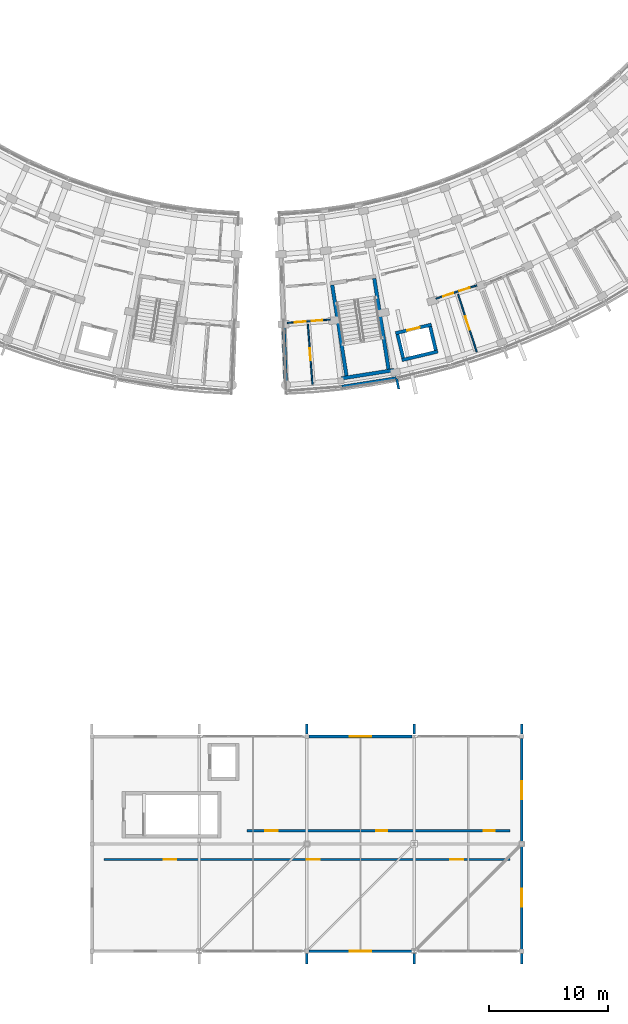
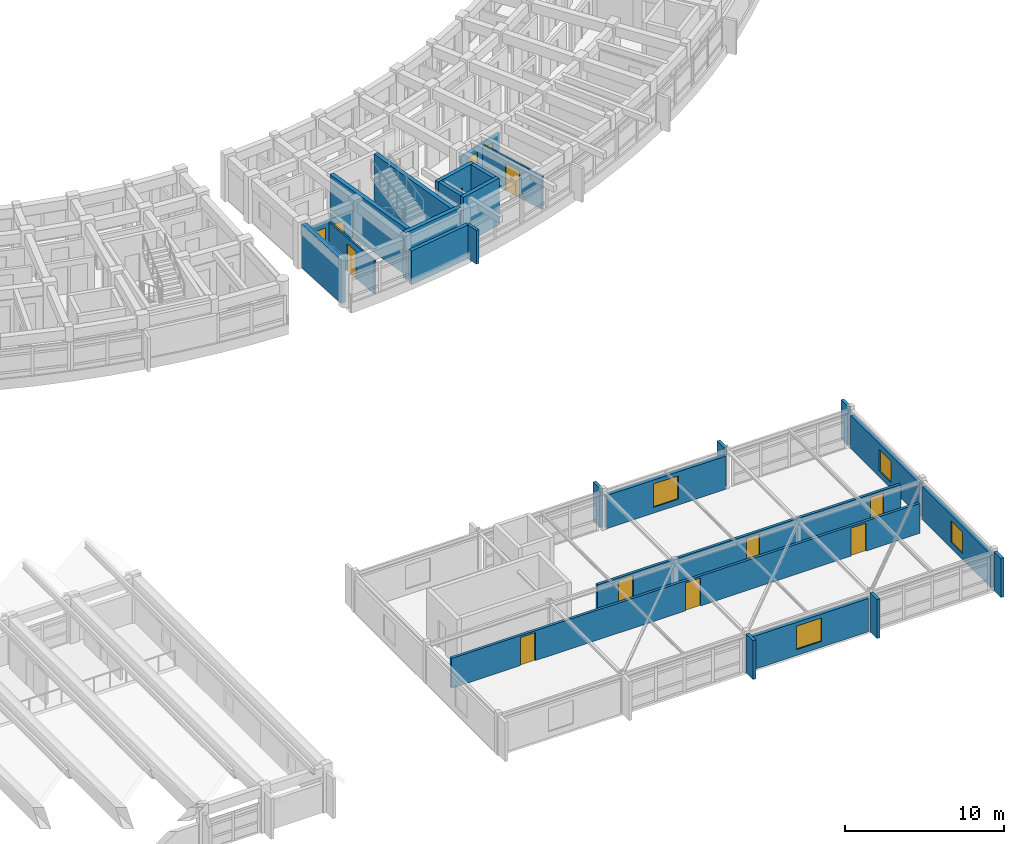
# One storey, part 66 of 83: 26 walls, 13 doors, 4 windows, 17 openings.
"""IFC4 building model written with IfcOpenShell, lengths in metres."""

from ifc_helpers import new_model, si_unit, direction, frame, frame_2d, origin, place, context, subcontext, project, spatial, rectangle, extrude, material, layer, layer_set, type_object, element, fill, save


model = new_model("IFC4")

# Units and contexts
model_context = context("Model", 3, precision=1e-05, world=origin(), true_north=direction((0.0, 1.0)))
body_context = subcontext(model_context, "Body", "Model", "MODEL_VIEW")
ifc_project = project(units=[si_unit("LENGTHUNIT", "METRE"), si_unit("AREAUNIT", "SQUARE_METRE"), si_unit("VOLUMEUNIT", "CUBIC_METRE"), si_unit("PLANEANGLEUNIT", "RADIAN"), si_unit("MASSUNIT", "GRAM", prefix="KILO")], contexts=[model_context])

# Site, building, storey
site_placement = place(None, origin())
site = spatial("IfcSite", under=ifc_project, at=site_placement, CompositionType="ELEMENT")
building_placement = place(site_placement, origin())
building = spatial("IfcBuilding", under=site, at=building_placement, Name="Zimvara Arc Housing Community", CompositionType="ELEMENT")
storey_placement = place(building_placement, frame((0.0, 0.0, 4.5)))
storey = spatial("IfcBuildingStorey", under=building, at=storey_placement, Name="L01", CompositionType="ELEMENT", Elevation=4.5)

# Walls
ifc_material_1 = material(Name="Board-Marked Fair-Faced Concrete C35/45", Category="concrete")
ifc_layer_1 = layer(ifc_material_1, 0.2548828125)
ifc_layer_set_1 = layer_set([ifc_layer_1], Name="Board-Marked Fair-Faced Concrete C35/45")
wall_type_1 = type_object("IfcWallType", Name="EWL-CONC-255", PredefinedType="SOLIDWALL", material=ifc_layer_set_1)
wall_1_placement = place(storey_placement, frame((132.927734375, 50.888671875, 0.0), z_axis=(0.0, 0.0, 1.0), x_axis=(0.987828826394, 0.155544880165, 0.0)))
element("IfcWall", 1, at=wall_1_placement, inside=storey, type_object=wall_type_1, Name="ewall:blkD:L01:out:b1", PredefinedType="SOLIDWALL", context=body_context, shape_type="SweptSolid", body=[
    extrude(rectangle(XDim=4.622314453125, YDim=0.2548828125, at=frame_2d((2.31103515625, 0.0))), origin(), (0.0, 0.0, 1.0), 2.60009765625),
])
ifc_material_2 = material(Name="Board-Marked Fair-Faced Concrete C35/45", Category="concrete")
ifc_layer_2 = layer(ifc_material_2, 0.195068359375)
ifc_layer_set_2 = layer_set([ifc_layer_2], Name="Board-Marked Fair-Faced Concrete C35/45")
wall_type_2 = type_object("IfcWallType", Name="EWL-PARA-195", PredefinedType="PARAPET", material=ifc_layer_set_2)
wall_2_placement = place(storey_placement, frame((137.521484375, 51.571533203125, 0.0), z_axis=(0.0, 0.0, 1.0), x_axis=(0.194237671596, -0.980954497891, 0.0)))
element("IfcWall", 2, at=wall_2_placement, inside=storey, type_object=wall_type_2, Name="finwall:blkD:L01:out:b2", PredefinedType="PARAPET", context=body_context, shape_type="SweptSolid", body=[
    extrude(rectangle(XDim=0.89990234375, YDim=0.195068359375, at=frame_2d((0.449951171875, 0.0))), origin(), (0.0, 0.0, 1.0), 2.60009765625),
])
ifc_material_3 = material(Name="Board-Marked Fair-Faced Concrete C35/45", Category="concrete")
ifc_layer_3 = layer(ifc_material_3, 0.219970703125)
ifc_layer_set_3 = layer_set([ifc_layer_3], Name="Board-Marked Fair-Faced Concrete C35/45")
wall_type_3 = type_object("IfcWallType", Name="EWL-PARA-220", PredefinedType="PARAPET", material=ifc_layer_set_3)
for number, where, z_axis, x_axis, name in (
    (3, (130.0, 2.550048828125, 0.0), (0.0, 0.0, 1.0), (0.0, 1.0, 0.0), "finwall:nursery:L01:s:2"),
    (4, (130.0, 21.780029296875, 0.0), (0.0, 0.0, 1.0), (0.0, 1.0, 0.0), "finwall:nursery:L01:n:2"),
    (5, (139.0, 2.550048828125, 0.0), (0.0, 0.0, 1.0), (0.0, 1.0, 0.0), "finwall:nursery:L01:s:3"),
    (6, (139.0, 21.780029296875, 0.0), (0.0, 0.0, 1.0), (0.0, 1.0, 0.0), "finwall:nursery:L01:n:3"),
    (7, (148.0, 2.550048828125, 0.0), (0.0, 0.0, 1.0), (0.0, 1.0, 0.0), "finwall:nursery:L01:s:4"),
    (8, (148.0, 21.780029296875, 0.0), (0.0, 0.0, 1.0), (0.0, 1.0, 0.0), "finwall:nursery:L01:n:4"),
):
    element("IfcWall", number, at=place(storey_placement, frame(where, z_axis=z_axis, x_axis=x_axis)), inside=storey, type_object=wall_type_3, Name=name, PredefinedType="PARAPET", context=body_context, shape_type="SweptSolid", body=[
        extrude(rectangle(XDim=0.869873046875, YDim=0.219970703125, at=frame_2d((0.43505859375, 0.0))), origin(), (0.0, 0.0, 1.0), 3.0),
    ])

# Wall, opening, window
ifc_material_4 = material(Name="Pigmented Fair-Faced Concrete C35/45", Category="concrete")
ifc_layer_4 = layer(ifc_material_4, 0.235107421875)
ifc_layer_set_4 = layer_set([ifc_layer_4], Name="Pigmented Fair-Faced Concrete C35/45")
wall_type_4 = type_object("IfcWallType", Name="EWL-PIGM-235", PredefinedType="SOLIDWALL", material=ifc_layer_set_4)
wall_3_placement = place(storey_placement, frame((130.175048828125, 3.60009765625, 0.0), z_axis=(0.0, 0.0, 1.0), x_axis=(1.0, 0.0, 0.0)))
wall_3 = element("IfcWall", 9, at=wall_3_placement, inside=storey, type_object=wall_type_4, Name="ewall:nursery:L01:south:b2", PredefinedType="SOLIDWALL", context=body_context, shape_type="SweptSolid", body=[
    extrude(rectangle(XDim=8.64990234375, YDim=0.235107421875, at=frame_2d((4.324951171875, 0.0))), origin(), (0.0, 0.0, 1.0), 2.550048828125),
])
opening_1_placement = place(wall_3_placement, frame((3.425048828125, 0.0, 0.449951171875)))
opening_1 = element("IfcOpeningElement", 10, at=opening_1_placement, cuts=wall_3, Name="Opening W13", PredefinedType="OPENING", context=body_context, shape_type="SweptSolid", body=[
    extrude(rectangle(XDim=1.800048828125, YDim=1.800048828125, at=frame_2d((0.89990234375, 0.89990234375))), frame((0.0, 0.12744140625, 0.0), z_axis=(0.0, -1.0, 0.0), x_axis=(1.0, 0.0, 0.0)), (0.0, 0.0, 1.0), 0.255126953125),
])
ifc_material_5 = material(Name="Solar Control Low-E Double Glazing", Category="glass")
window_type_1 = type_object("IfcWindowType", Name="WIN-NURS-1800x1800", PartitioningType="TRIPLE_PANEL_VERTICAL", PredefinedType="WINDOW", material=ifc_material_5)
window_1_placement = place(opening_1_placement, origin())
window_1 = element("IfcWindow", 11, at=window_1_placement, inside=storey, type_object=window_type_1, Name="win:nursery:L01:south:b2", OverallHeight=1.800048828125, OverallWidth=1.800048828125, PartitioningType="TRIPLE_PANEL_VERTICAL", PredefinedType="WINDOW", context=body_context, shape_type="SweptSolid", body=[
    extrude(rectangle(XDim=1.800048828125, YDim=1.800048828125, at=frame_2d((0.89990234375, 0.89990234375))), frame((0.0, 0.030029296875, 0.0), z_axis=(0.0, -1.0, 0.0), x_axis=(1.0, 0.0, 0.0)), (0.0, 0.0, 1.0), 0.06005859375),
])
fill(opening_1, window_1)

wall_4_placement = place(storey_placement, frame((130.175048828125, 21.60009765625, 0.0), z_axis=(0.0, 0.0, 1.0), x_axis=(1.0, 0.0, 0.0)))
wall_4 = element("IfcWall", 12, at=wall_4_placement, inside=storey, type_object=wall_type_4, Name="ewall:nursery:L01:north:b2", PredefinedType="SOLIDWALL", context=body_context, shape_type="SweptSolid", body=[
    extrude(rectangle(XDim=8.64990234375, YDim=0.235107421875, at=frame_2d((4.324951171875, 0.0))), origin(), (0.0, 0.0, 1.0), 2.550048828125),
])
opening_2_placement = place(wall_4_placement, frame((3.425048828125, 0.0, 0.449951171875)))
opening_2 = element("IfcOpeningElement", 13, at=opening_2_placement, cuts=wall_4, Name="Opening W13", PredefinedType="OPENING", context=body_context, shape_type="SweptSolid", body=[
    extrude(rectangle(XDim=1.800048828125, YDim=1.800048828125, at=frame_2d((0.89990234375, 0.89990234375))), frame((0.0, 0.12744140625, 0.0), z_axis=(0.0, -1.0, 0.0), x_axis=(1.0, 0.0, 0.0)), (0.0, 0.0, 1.0), 0.255126953125),
])
window_2_placement = place(opening_2_placement, origin())
window_2 = element("IfcWindow", 14, at=window_2_placement, inside=storey, type_object=window_type_1, Name="win:nursery:L01:north:b2", OverallHeight=1.800048828125, OverallWidth=1.800048828125, PartitioningType="TRIPLE_PANEL_VERTICAL", PredefinedType="WINDOW", context=body_context, shape_type="SweptSolid", body=[
    extrude(rectangle(XDim=1.800048828125, YDim=1.800048828125, at=frame_2d((0.89990234375, 0.89990234375))), frame((0.0, 0.030029296875, 0.0), z_axis=(0.0, -1.0, 0.0), x_axis=(1.0, 0.0, 0.0)), (0.0, 0.0, 1.0), 0.06005859375),
])
fill(opening_2, window_2)

wall_5_placement = place(storey_placement, frame((148.0, 3.77490234375, 0.0), z_axis=(0.0, 0.0, 1.0), x_axis=(0.0, 1.0, 0.0)))
wall_5 = element("IfcWall", 15, at=wall_5_placement, inside=storey, type_object=wall_type_4, Name="ewall:nursery:L01:east:b0", PredefinedType="SOLIDWALL", context=body_context, shape_type="SweptSolid", body=[
    extrude(rectangle(XDim=8.650146484375, YDim=0.235107421875, at=frame_2d((4.3251953125, 0.0))), origin(), (0.0, 0.0, 1.0), 2.550048828125),
])
opening_3_placement = place(wall_5_placement, frame((3.574951171875, 0.0, 0.449951171875)))
opening_3 = element("IfcOpeningElement", 16, at=opening_3_placement, cuts=wall_5, Name="Opening W07", PredefinedType="OPENING", context=body_context, shape_type="SweptSolid", body=[
    extrude(rectangle(XDim=1.5, YDim=1.64990234375, at=frame_2d((0.75, 0.824951171875))), frame((0.0, 0.12744140625, 0.0), z_axis=(0.0, -1.0, 0.0), x_axis=(1.0, 0.0, 0.0)), (0.0, 0.0, 1.0), 0.255126953125),
])
ifc_material_6 = material(Name="Solar Control Low-E Double Glazing", Category="glass")
window_type_2 = type_object("IfcWindowType", Name="WIN-RES-1500x1650", PartitioningType="DOUBLE_PANEL_VERTICAL", PredefinedType="WINDOW", material=ifc_material_6)
window_3_placement = place(opening_3_placement, origin())
window_3 = element("IfcWindow", 17, at=window_3_placement, inside=storey, type_object=window_type_2, Name="win:nursery:L01:east:b0", OverallHeight=1.64990234375, OverallWidth=1.5, PartitioningType="DOUBLE_PANEL_VERTICAL", PredefinedType="WINDOW", context=body_context, shape_type="SweptSolid", body=[
    extrude(rectangle(XDim=1.5, YDim=1.64990234375, at=frame_2d((0.75, 0.824951171875))), frame((0.0, 0.030029296875, 0.0), z_axis=(0.0, -1.0, 0.0), x_axis=(1.0, 0.0, 0.0)), (0.0, 0.0, 1.0), 0.06005859375),
])
fill(opening_3, window_3)

wall_6_placement = place(storey_placement, frame((148.0, 12.77490234375, 0.0), z_axis=(0.0, 0.0, 1.0), x_axis=(0.0, 1.0, 0.0)))
wall_6 = element("IfcWall", 18, at=wall_6_placement, inside=storey, type_object=wall_type_4, Name="ewall:nursery:L01:east:b1", PredefinedType="SOLIDWALL", context=body_context, shape_type="SweptSolid", body=[
    extrude(rectangle(XDim=8.650146484375, YDim=0.235107421875, at=frame_2d((4.3251953125, 0.0))), origin(), (0.0, 0.0, 1.0), 2.550048828125),
])
opening_4_placement = place(wall_6_placement, frame((3.574951171875, 0.0, 0.449951171875)))
opening_4 = element("IfcOpeningElement", 19, at=opening_4_placement, cuts=wall_6, Name="Opening W07", PredefinedType="OPENING", context=body_context, shape_type="SweptSolid", body=[
    extrude(rectangle(XDim=1.5, YDim=1.64990234375, at=frame_2d((0.75, 0.824951171875))), frame((0.0, 0.12744140625, 0.0), z_axis=(0.0, -1.0, 0.0), x_axis=(1.0, 0.0, 0.0)), (0.0, 0.0, 1.0), 0.255126953125),
])
window_4_placement = place(opening_4_placement, origin())
window_4 = element("IfcWindow", 20, at=window_4_placement, inside=storey, type_object=window_type_2, Name="win:nursery:L01:east:b1", OverallHeight=1.64990234375, OverallWidth=1.5, PartitioningType="DOUBLE_PANEL_VERTICAL", PredefinedType="WINDOW", context=body_context, shape_type="SweptSolid", body=[
    extrude(rectangle(XDim=1.5, YDim=1.64990234375, at=frame_2d((0.75, 0.824951171875))), frame((0.0, 0.030029296875, 0.0), z_axis=(0.0, -1.0, 0.0), x_axis=(1.0, 0.0, 0.0)), (0.0, 0.0, 1.0), 0.06005859375),
])
fill(opening_4, window_4)

# Wall, openings, doors
ifc_material_7 = material(Name="Concrete C35/45", Category="concrete")
ifc_layer_5 = layer(ifc_material_7, 0.18994140625)
ifc_layer_set_5 = layer_set([ifc_layer_5], Name="Concrete C35/45")
wall_type_5 = type_object("IfcWallType", Name="IWL-CORR-190", PredefinedType="SOLIDWALL", material=ifc_layer_set_5)
wall_7_placement = place(storey_placement, frame((113.0, 11.300048828125, 0.0), z_axis=(0.0, 0.0, 1.0), x_axis=(1.0, 0.0, 0.0)))
wall_7 = element("IfcWall", 21, at=wall_7_placement, inside=storey, type_object=wall_type_5, Name="iwall:civ:nurs_s_l01", PredefinedType="SOLIDWALL", context=body_context, shape_type="SweptSolid", body=[
    extrude(rectangle(XDim=34.0, YDim=0.18994140625, at=frame_2d((17.0, 0.0))), origin(), (0.0, 0.0, 1.0), 2.300048828125),
])
opening_5_placement = place(wall_7_placement, frame((5.0, 0.0, 0.0)))
opening_5 = element("IfcOpeningElement", 22, at=opening_5_placement, cuts=wall_7, Name="Opening D08", PredefinedType="OPENING", context=body_context, shape_type="SweptSolid", body=[
    extrude(rectangle(XDim=1.080078125, YDim=2.14990234375, at=frame_2d((0.5400390625, 1.074951171875))), frame((0.0, 0.10498046875, 0.0), z_axis=(0.0, -1.0, 0.0), x_axis=(1.0, 0.0, 0.0)), (0.0, 0.0, 1.0), 0.2099609375),
])
opening_6_placement = place(wall_7_placement, frame((17.0, 0.0, 0.0)))
opening_6 = element("IfcOpeningElement", 23, at=opening_6_placement, cuts=wall_7, Name="Opening D08", PredefinedType="OPENING", context=body_context, shape_type="SweptSolid", body=[
    extrude(rectangle(XDim=1.080078125, YDim=2.14990234375, at=frame_2d((0.5400390625, 1.074951171875))), frame((0.0, 0.10498046875, 0.0), z_axis=(0.0, -1.0, 0.0), x_axis=(1.0, 0.0, 0.0)), (0.0, 0.0, 1.0), 0.2099609375),
])
opening_7_placement = place(wall_7_placement, frame((29.0, 0.0, 0.0)))
opening_7 = element("IfcOpeningElement", 24, at=opening_7_placement, cuts=wall_7, Name="Opening D08", PredefinedType="OPENING", context=body_context, shape_type="SweptSolid", body=[
    extrude(rectangle(XDim=1.080078125, YDim=2.14990234375, at=frame_2d((0.5400390625, 1.074951171875))), frame((0.0, 0.10498046875, 0.0), z_axis=(0.0, -1.0, 0.0), x_axis=(1.0, 0.0, 0.0)), (0.0, 0.0, 1.0), 0.2099609375),
])
ifc_material_8 = material(Name="Mozambican Hardwood", Category="wood")
door_type_1 = type_object("IfcDoorType", Name="IDR-NURS-1080x2150", OperationType="NOTDEFINED", PredefinedType="DOOR", material=ifc_material_8)
door_1_placement = place(opening_5_placement, origin())
door_1 = element("IfcDoor", 25, at=door_1_placement, inside=storey, type_object=door_type_1, Name="idoor:civ:ncl3_d", OperationType="SINGLE_SWING_LEFT", OverallHeight=2.14990234375, OverallWidth=1.080078125, PredefinedType="DOOR", context=body_context, shape_type="SweptSolid", body=[
    extrude(rectangle(XDim=1.080078125, YDim=2.14990234375, at=frame_2d((0.5400390625, 1.074951171875))), frame((0.0, 0.02490234375, 0.0), z_axis=(0.0, -1.0, 0.0), x_axis=(1.0, 0.0, 0.0)), (0.0, 0.0, 1.0), 0.050048828125),
])
fill(opening_5, door_1)
door_2_placement = place(opening_6_placement, origin())
door_2 = element("IfcDoor", 26, at=door_2_placement, inside=storey, type_object=door_type_1, Name="idoor:civ:ncl4_d", OperationType="SINGLE_SWING_RIGHT", OverallHeight=2.14990234375, OverallWidth=1.080078125, PredefinedType="DOOR", context=body_context, shape_type="SweptSolid", body=[
    extrude(rectangle(XDim=1.080078125, YDim=2.14990234375, at=frame_2d((0.5400390625, 1.074951171875))), frame((0.0, 0.02490234375, 0.0), z_axis=(0.0, -1.0, 0.0), x_axis=(1.0, 0.0, 0.0)), (0.0, 0.0, 1.0), 0.050048828125),
])
fill(opening_6, door_2)
door_3_placement = place(opening_7_placement, origin())
door_3 = element("IfcDoor", 27, at=door_3_placement, inside=storey, type_object=door_type_1, Name="idoor:civ:ncl5_d", OperationType="SINGLE_SWING_LEFT", OverallHeight=2.14990234375, OverallWidth=1.080078125, PredefinedType="DOOR", context=body_context, shape_type="SweptSolid", body=[
    extrude(rectangle(XDim=1.080078125, YDim=2.14990234375, at=frame_2d((0.5400390625, 1.074951171875))), frame((0.0, 0.02490234375, 0.0), z_axis=(0.0, -1.0, 0.0), x_axis=(1.0, 0.0, 0.0)), (0.0, 0.0, 1.0), 0.050048828125),
])
fill(opening_7, door_3)

wall_8_placement = place(storey_placement, frame((125.0, 13.699951171875, 0.0), z_axis=(0.0, 0.0, 1.0), x_axis=(1.0, 0.0, 0.0)))
wall_8 = element("IfcWall", 28, at=wall_8_placement, inside=storey, type_object=wall_type_5, Name="iwall:civ:nurs_n_l01", PredefinedType="SOLIDWALL", context=body_context, shape_type="SweptSolid", body=[
    extrude(rectangle(XDim=22.0, YDim=0.18994140625, at=frame_2d((11.0, 0.0))), origin(), (0.0, 0.0, 1.0), 2.300048828125),
])
opening_8_placement = place(wall_8_placement, frame((1.5, 0.0, 0.0)))
opening_8 = element("IfcOpeningElement", 29, at=opening_8_placement, cuts=wall_8, Name="Opening D08", PredefinedType="OPENING", context=body_context, shape_type="SweptSolid", body=[
    extrude(rectangle(XDim=1.080078125, YDim=2.14990234375, at=frame_2d((0.5400390625, 1.074951171875))), frame((0.0, 0.10498046875, 0.0), z_axis=(0.0, -1.0, 0.0), x_axis=(1.0, 0.0, 0.0)), (0.0, 0.0, 1.0), 0.2099609375),
])
opening_9_placement = place(wall_8_placement, frame((10.800048828125, 0.0, 0.0)))
opening_9 = element("IfcOpeningElement", 30, at=opening_9_placement, cuts=wall_8, Name="Opening D03", PredefinedType="OPENING", context=body_context, shape_type="SweptSolid", body=[
    extrude(rectangle(XDim=0.93994140625, YDim=2.10009765625, at=frame_2d((0.469970703125, 1.050048828125))), frame((0.0, 0.10498046875, 0.0), z_axis=(0.0, -1.0, 0.0), x_axis=(1.0, 0.0, 0.0)), (0.0, 0.0, 1.0), 0.2099609375),
])
opening_10_placement = place(wall_8_placement, frame((19.800048828125, 0.0, 0.0)))
opening_10 = element("IfcOpeningElement", 31, at=opening_10_placement, cuts=wall_8, Name="Opening D06", PredefinedType="OPENING", context=body_context, shape_type="SweptSolid", body=[
    extrude(rectangle(XDim=0.949951171875, YDim=2.10009765625, at=frame_2d((0.47509765625, 1.050048828125))), frame((0.0, 0.10498046875, 0.0), z_axis=(0.0, -1.0, 0.0), x_axis=(1.0, 0.0, 0.0)), (0.0, 0.0, 1.0), 0.2099609375),
])
ifc_material_9 = material(Name="Mozambican Hardwood", Category="wood")
door_type_2 = type_object("IfcDoorType", Name="IDR-AWC-0950x2100", OperationType="NOTDEFINED", PredefinedType="DOOR", material=ifc_material_9)
door_4_placement = place(opening_10_placement, origin())
door_4 = element("IfcDoor", 32, at=door_4_placement, inside=storey, type_object=door_type_2, Name="idoor:civ:nuwc_d", OperationType="SINGLE_SWING_RIGHT", OverallHeight=2.10009765625, OverallWidth=0.949951171875, PredefinedType="DOOR", context=body_context, shape_type="SweptSolid", body=[
    extrude(rectangle(XDim=0.949951171875, YDim=2.10009765625, at=frame_2d((0.47509765625, 1.050048828125))), frame((0.0, 0.02490234375, 0.0), z_axis=(0.0, -1.0, 0.0), x_axis=(1.0, 0.0, 0.0)), (0.0, 0.0, 1.0), 0.050048828125),
])
fill(opening_10, door_4)
door_5_placement = place(opening_8_placement, origin())
door_5 = element("IfcDoor", 33, at=door_5_placement, inside=storey, type_object=door_type_1, Name="idoor:civ:nnap_d", OperationType="SINGLE_SWING_RIGHT", OverallHeight=2.14990234375, OverallWidth=1.080078125, PredefinedType="DOOR", context=body_context, shape_type="SweptSolid", body=[
    extrude(rectangle(XDim=1.080078125, YDim=2.14990234375, at=frame_2d((0.5400390625, 1.074951171875))), frame((0.0, 0.02490234375, 0.0), z_axis=(0.0, -1.0, 0.0), x_axis=(1.0, 0.0, 0.0)), (0.0, 0.0, 1.0), 0.050048828125),
])
fill(opening_8, door_5)
ifc_material_10 = material(Name="Mozambican Hardwood", Category="wood")
door_type_3 = type_object("IfcDoorType", Name="IDR-RM-0940x2100", OperationType="NOTDEFINED", PredefinedType="DOOR", material=ifc_material_10)
door_6_placement = place(opening_9_placement, origin())
door_6 = element("IfcDoor", 34, at=door_6_placement, inside=storey, type_object=door_type_3, Name="idoor:civ:nstf_d", OperationType="SINGLE_SWING_LEFT", OverallHeight=2.10009765625, OverallWidth=0.93994140625, PredefinedType="DOOR", context=body_context, shape_type="SweptSolid", body=[
    extrude(rectangle(XDim=0.93994140625, YDim=2.10009765625, at=frame_2d((0.469970703125, 1.050048828125))), frame((0.0, 0.02490234375, 0.0), z_axis=(0.0, -1.0, 0.0), x_axis=(1.0, 0.0, 0.0)), (0.0, 0.0, 1.0), 0.050048828125),
])
fill(opening_9, door_6)

ifc_material_11 = material(Name="Painted Acoustic Plasterboard")
ifc_layer_6 = layer(ifc_material_11, 0.10498046875)
ifc_layer_set_6 = layer_set([ifc_layer_6], Name="Painted Acoustic Plasterboard")
wall_type_6 = type_object("IfcWallType", Name="IWL-PART-105", PredefinedType="PARTITIONING", material=ifc_layer_set_6)
wall_9_placement = place(storey_placement, frame((128.340576171875, 56.222900390625, 0.0), z_axis=(0.0, 0.0, 1.0), x_axis=(0.996986990942, 0.077568936389, 0.0)))
wall_9 = element("IfcWall", 35, at=wall_9_placement, inside=storey, type_object=wall_type_6, Name="iwall:blkD:L01:srv:b0", PredefinedType="PARTITIONING", context=body_context, shape_type="SweptSolid", body=[
    extrude(rectangle(XDim=3.616455078125, YDim=0.10498046875, at=frame_2d((1.80810546875, 0.0))), origin(), (0.0, 0.0, 1.0), 2.580078125),
])
opening_11_placement = place(wall_9_placement, frame((0.64990234375, 0.0, 0.0)))
opening_11 = element("IfcOpeningElement", 36, at=opening_11_placement, cuts=wall_9, Name="Opening D01", PredefinedType="OPENING", context=body_context, shape_type="SweptSolid", body=[
    extrude(rectangle(XDim=0.89990234375, YDim=2.10009765625, at=frame_2d((0.449951171875, 1.050048828125))), frame((0.0, 0.0625, 0.0), z_axis=(0.0, -1.0, 0.0), x_axis=(1.0, 0.0, 0.0)), (0.0, 0.0, 1.0), 0.125),
])
opening_12_placement = place(wall_9_placement, frame((2.08642578125, 0.0, 0.0)))
opening_12 = element("IfcOpeningElement", 37, at=opening_12_placement, cuts=wall_9, Name="Opening D05", PredefinedType="OPENING", context=body_context, shape_type="SweptSolid", body=[
    extrude(rectangle(XDim=0.8798828125, YDim=2.10009765625, at=frame_2d((0.43994140625, 1.050048828125))), frame((0.0, 0.0625, 0.0), z_axis=(0.0, -1.0, 0.0), x_axis=(1.0, 0.0, 0.0)), (0.0, 0.0, 1.0), 0.125),
])
ifc_material_12 = material(Name="Mozambican Hardwood", Category="wood")
door_type_4 = type_object("IfcDoorType", Name="IDR-RM-0900x2100", OperationType="NOTDEFINED", PredefinedType="DOOR", material=ifc_material_12)
door_7_placement = place(opening_11_placement, origin())
door_7 = element("IfcDoor", 38, at=door_7_placement, inside=storey, type_object=door_type_4, Name="idoor:blkD:L01:kit_liv:b0", OperationType="SINGLE_SWING_LEFT", OverallHeight=2.10009765625, OverallWidth=0.89990234375, PredefinedType="DOOR", context=body_context, shape_type="SweptSolid", body=[
    extrude(rectangle(XDim=0.89990234375, YDim=2.10009765625, at=frame_2d((0.449951171875, 1.050048828125))), frame((0.0, 0.02490234375, 0.0), z_axis=(0.0, -1.0, 0.0), x_axis=(1.0, 0.0, 0.0)), (0.0, 0.0, 1.0), 0.050048828125),
])
fill(opening_11, door_7)
ifc_material_13 = material(Name="Mozambican Hardwood", Category="wood")
door_type_5 = type_object("IfcDoorType", Name="IDR-WC-0880x2100", OperationType="NOTDEFINED", PredefinedType="DOOR", material=ifc_material_13)
door_8_placement = place(opening_12_placement, origin())
door_8 = element("IfcDoor", 39, at=door_8_placement, inside=storey, type_object=door_type_5, Name="idoor:blkD:L01:bath_d:b0", OperationType="SINGLE_SWING_RIGHT", OverallHeight=2.10009765625, OverallWidth=0.8798828125, PredefinedType="DOOR", context=body_context, shape_type="SweptSolid", body=[
    extrude(rectangle(XDim=0.8798828125, YDim=2.10009765625, at=frame_2d((0.43994140625, 1.050048828125))), frame((0.0, 0.02490234375, 0.0), z_axis=(0.0, -1.0, 0.0), x_axis=(1.0, 0.0, 0.0)), (0.0, 0.0, 1.0), 0.050048828125),
])
fill(opening_12, door_8)

# Wall, opening, door
ifc_material_14 = material(Name="Painted Acoustic Plasterboard")
ifc_layer_7 = layer(ifc_material_14, 0.1201171875)
ifc_layer_set_7 = layer_set([ifc_layer_7], Name="Painted Acoustic Plasterboard")
wall_type_7 = type_object("IfcWallType", Name="IWL-PART-120", PredefinedType="PARTITIONING", material=ifc_layer_set_7)
wall_10_placement = place(storey_placement, frame((130.08447265625, 56.116455078125, 0.0), z_axis=(0.0, 0.0, 1.0), x_axis=(0.076141951799, -0.997096987848, 0.0)))
wall_10 = element("IfcWall", 40, at=wall_10_placement, inside=storey, type_object=wall_type_7, Name="iwall:blkD:L01:bed_div:b0", PredefinedType="PARTITIONING", context=body_context, shape_type="SweptSolid", body=[
    extrude(rectangle(XDim=5.050048828125, YDim=0.1201171875, at=frame_2d((2.52490234375, 0.0))), origin(), (0.0, 0.0, 1.0), 2.580078125),
])
opening_13_placement = place(wall_10_placement, frame((2.02001953125, 0.0, 0.0)))
opening_13 = element("IfcOpeningElement", 41, at=opening_13_placement, cuts=wall_10, Name="Opening D15", PredefinedType="OPENING", context=body_context, shape_type="SweptSolid", body=[
    extrude(rectangle(XDim=1.010009765625, YDim=2.10009765625, at=frame_2d((0.5048828125, 1.050048828125))), frame((0.0, 0.070068359375, 0.0), z_axis=(0.0, -1.0, 0.0), x_axis=(1.0, 0.0, 0.0)), (0.0, 0.0, 1.0), 0.14013671875),
])
ifc_material_15 = material(Name="Mozambican Hardwood", Category="wood")
door_type_6 = type_object("IfcDoorType", Name="IDR-MOD-1010x2160", OperationType="NOTDEFINED", PredefinedType="DOOR", material=ifc_material_15)
door_9_placement = place(opening_13_placement, origin())
door_9 = element("IfcDoor", 42, at=door_9_placement, inside=storey, type_object=door_type_6, Name="idoor:blkD:L01:bed_d:b0", OperationType="SINGLE_SWING_LEFT", OverallHeight=2.10009765625, OverallWidth=1.010009765625, PredefinedType="DOOR", context=body_context, shape_type="SweptSolid", body=[
    extrude(rectangle(XDim=1.010009765625, YDim=2.10009765625, at=frame_2d((0.5048828125, 1.050048828125))), frame((0.0, 0.02490234375, 0.0), z_axis=(0.0, -1.0, 0.0), x_axis=(1.0, 0.0, 0.0)), (0.0, 0.0, 1.0), 0.050048828125),
])
fill(opening_13, door_9)

# Wall, openings, doors
wall_11_placement = place(storey_placement, frame((140.796630859375, 58.255859375, 0.0), z_axis=(0.0, 0.0, 1.0), x_axis=(0.951329312261, 0.308176150331, 0.0)))
wall_11 = element("IfcWall", 43, at=wall_11_placement, inside=storey, type_object=wall_type_7, Name="iwall:blkD:L01:srv:b3", PredefinedType="PARTITIONING", context=body_context, shape_type="SweptSolid", body=[
    extrude(rectangle(XDim=3.616455078125, YDim=0.1201171875, at=frame_2d((1.80810546875, 0.0))), origin(), (0.0, 0.0, 1.0), 2.580078125),
])
opening_14_placement = place(wall_11_placement, frame((0.64990234375, 0.0, 0.0)))
opening_14 = element("IfcOpeningElement", 44, at=opening_14_placement, cuts=wall_11, Name="Opening D01", PredefinedType="OPENING", context=body_context, shape_type="SweptSolid", body=[
    extrude(rectangle(XDim=0.89990234375, YDim=2.10009765625, at=frame_2d((0.449951171875, 1.050048828125))), frame((0.0, 0.070068359375, 0.0), z_axis=(0.0, -1.0, 0.0), x_axis=(1.0, 0.0, 0.0)), (0.0, 0.0, 1.0), 0.14013671875),
])
opening_15_placement = place(wall_11_placement, frame((2.08642578125, 0.0, 0.0)))
opening_15 = element("IfcOpeningElement", 45, at=opening_15_placement, cuts=wall_11, Name="Opening D05", PredefinedType="OPENING", context=body_context, shape_type="SweptSolid", body=[
    extrude(rectangle(XDim=0.8798828125, YDim=2.10009765625, at=frame_2d((0.43994140625, 1.050048828125))), frame((0.0, 0.070068359375, 0.0), z_axis=(0.0, -1.0, 0.0), x_axis=(1.0, 0.0, 0.0)), (0.0, 0.0, 1.0), 0.14013671875),
])
door_10_placement = place(opening_14_placement, origin())
door_10 = element("IfcDoor", 46, at=door_10_placement, inside=storey, type_object=door_type_4, Name="idoor:blkD:L01:kit_liv:b3", OperationType="SINGLE_SWING_RIGHT", OverallHeight=2.10009765625, OverallWidth=0.89990234375, PredefinedType="DOOR", context=body_context, shape_type="SweptSolid", body=[
    extrude(rectangle(XDim=0.89990234375, YDim=2.10009765625, at=frame_2d((0.449951171875, 1.050048828125))), frame((0.0, 0.02490234375, 0.0), z_axis=(0.0, -1.0, 0.0), x_axis=(1.0, 0.0, 0.0)), (0.0, 0.0, 1.0), 0.050048828125),
])
fill(opening_14, door_10)
door_11_placement = place(opening_15_placement, origin())
door_11 = element("IfcDoor", 47, at=door_11_placement, inside=storey, type_object=door_type_5, Name="idoor:blkD:L01:bath_d:b3", OperationType="SINGLE_SWING_LEFT", OverallHeight=2.10009765625, OverallWidth=0.8798828125, PredefinedType="DOOR", context=body_context, shape_type="SweptSolid", body=[
    extrude(rectangle(XDim=0.8798828125, YDim=2.10009765625, at=frame_2d((0.43994140625, 1.050048828125))), frame((0.0, 0.02490234375, 0.0), z_axis=(0.0, -1.0, 0.0), x_axis=(1.0, 0.0, 0.0)), (0.0, 0.0, 1.0), 0.050048828125),
])
fill(opening_15, door_11)

# Wall, opening, door
wall_12_placement = place(storey_placement, frame((142.665283203125, 58.607666015625, 0.0), z_axis=(0.0, 0.0, 1.0), x_axis=(0.309592146544, -0.950869445717, 0.0)))
wall_12 = element("IfcWall", 48, at=wall_12_placement, inside=storey, type_object=wall_type_7, Name="iwall:blkD:L01:bed_div:b3", PredefinedType="PARTITIONING", context=body_context, shape_type="SweptSolid", body=[
    extrude(rectangle(XDim=5.050048828125, YDim=0.1201171875, at=frame_2d((2.52490234375, 0.0))), origin(), (0.0, 0.0, 1.0), 2.580078125),
])
opening_16_placement = place(wall_12_placement, frame((1.93505859375, 0.0, 0.0)))
opening_16 = element("IfcOpeningElement", 49, at=opening_16_placement, cuts=wall_12, Name="Opening D18", PredefinedType="OPENING", context=body_context, shape_type="SweptSolid", body=[
    extrude(rectangle(XDim=1.179931640625, YDim=2.10009765625, at=frame_2d((0.58984375, 1.050048828125))), frame((0.0, 0.070068359375, 0.0), z_axis=(0.0, -1.0, 0.0), x_axis=(1.0, 0.0, 0.0)), (0.0, 0.0, 1.0), 0.14013671875),
])
ifc_material_16 = material(Name="Mozambican Hardwood", Category="wood")
door_type_7 = type_object("IfcDoorType", Name="IDR-MOD-1180x2120", OperationType="NOTDEFINED", PredefinedType="DOOR", material=ifc_material_16)
door_12_placement = place(opening_16_placement, origin())
door_12 = element("IfcDoor", 50, at=door_12_placement, inside=storey, type_object=door_type_7, Name="idoor:blkD:L01:bed_d:b3", OperationType="SINGLE_SWING_RIGHT", OverallHeight=2.10009765625, OverallWidth=1.179931640625, PredefinedType="DOOR", context=body_context, shape_type="SweptSolid", body=[
    extrude(rectangle(XDim=1.179931640625, YDim=2.10009765625, at=frame_2d((0.58984375, 1.050048828125))), frame((0.0, 0.02490234375, 0.0), z_axis=(0.0, -1.0, 0.0), x_axis=(1.0, 0.0, 0.0)), (0.0, 0.0, 1.0), 0.050048828125),
])
fill(opening_16, door_12)

ifc_material_17 = material(Name="Concrete C40/50", Category="concrete")
ifc_layer_8 = layer(ifc_material_17, 0.280029296875)
ifc_layer_set_8 = layer_set([ifc_layer_8], Name="Concrete C40/50")
wall_type_8 = type_object("IfcWallType", Name="WL-CORE-280", PredefinedType="SHEAR", material=ifc_layer_set_8)
wall_13_placement = place(storey_placement, frame((137.4248046875, 55.3623046875, 0.0), z_axis=(0.0, 0.0, 1.0), x_axis=(0.972573452388, 0.232595958069, 0.0)))
wall_13 = element("IfcWall", 51, at=wall_13_placement, inside=storey, type_object=wall_type_8, Name="lwall:LP-D1:L01:front", PredefinedType="SHEAR", context=body_context, shape_type="SweptSolid", body=[
    extrude(rectangle(XDim=3.090087890625, YDim=0.280029296875, at=frame_2d((1.544921875, 0.0))), origin(), (0.0, 0.0, 1.0), 3.60009765625),
])
opening_17_placement = place(wall_13_placement, frame((0.9951171875, 0.0, 0.0)))
opening_17 = element("IfcOpeningElement", 52, at=opening_17_placement, cuts=wall_13, Name="Opening LD-LP-D1", PredefinedType="OPENING", context=body_context, shape_type="SweptSolid", body=[
    extrude(rectangle(XDim=1.10009765625, YDim=2.14990234375, at=frame_2d((0.550048828125, 1.074951171875))), frame((0.0, 0.14990234375, 0.0), z_axis=(0.0, -1.0, 0.0), x_axis=(1.0, 0.0, 0.0)), (0.0, 0.0, 1.0), 0.300048828125),
])
ifc_material_18 = material(Name="Anodised Aluminium AW-6063", Category="aluminium")
door_type_8 = type_object("IfcDoorType", Name="IDR-LD-1100x2150", OperationType="DOUBLE_DOOR_SLIDING", PredefinedType="DOOR", material=ifc_material_18)
door_13_placement = place(opening_17_placement, origin())
door_13 = element("IfcDoor", 53, at=door_13_placement, inside=storey, type_object=door_type_8, Name="Lift LP-D1 Sliding Landing Door L01", OperationType="DOUBLE_DOOR_SLIDING", OverallHeight=2.14990234375, OverallWidth=1.10009765625, PredefinedType="DOOR", context=body_context, shape_type="SweptSolid", body=[
    extrude(rectangle(XDim=1.10009765625, YDim=2.14990234375, at=frame_2d((0.550048828125, 1.074951171875))), frame((0.0, 0.02490234375, 0.0), z_axis=(0.0, -1.0, 0.0), x_axis=(1.0, 0.0, 0.0)), (0.0, 0.0, 1.0), 0.050048828125),
])
fill(opening_17, door_13)

# Walls
wall_14_placement = place(storey_placement, frame((137.962158203125, 53.11572265625, 0.0), z_axis=(0.0, 0.0, 1.0), x_axis=(0.972573452388, 0.232595958069, 0.0)))
element("IfcWall", 54, at=wall_14_placement, inside=storey, type_object=wall_type_8, Name="lwall:LP-D1:L01:back", PredefinedType="SHEAR", context=body_context, shape_type="SweptSolid", body=[
    extrude(rectangle(XDim=3.090087890625, YDim=0.280029296875, at=frame_2d((1.544921875, 0.0))), origin(), (0.0, 0.0, 1.0), 3.60009765625),
])
for number, where, z_axis, x_axis, name in (
    (55, (137.593505859375, 55.2587890625, 0.0), (0.0, 0.0, 1.0), (0.232590524316, -0.972574751882, 0.0), "lwall:LP-D1:L01:left"),
    (56, (140.326416015625, 55.912353515625, 0.0), (0.0, 0.0, 1.0), (0.232590524316, -0.972574751882, 0.0), "lwall:LP-D1:L01:right"),
):
    element("IfcWall", number, at=place(storey_placement, frame(where, z_axis=z_axis, x_axis=x_axis)), inside=storey, type_object=wall_type_8, Name=name, PredefinedType="SHEAR", context=body_context, shape_type="SweptSolid", body=[
        extrude(rectangle(XDim=2.030029296875, YDim=0.280029296875, at=frame_2d((1.01513671875, 0.0))), origin(), (0.0, 0.0, 1.0), 3.60009765625),
    ])
ifc_material_19 = material(Name="Concrete C40/50", Category="concrete")
ifc_layer_9 = layer(ifc_material_19, 0.300048828125)
ifc_layer_set_9 = layer_set([ifc_layer_9], Name="Concrete C40/50")
wall_type_9 = type_object("IfcWallType", Name="WL-CORE-300", PredefinedType="SHEAR", material=ifc_layer_set_9)
wall_15_placement = place(storey_placement, frame((132.895751953125, 51.581298828125, 0.0), z_axis=(0.0, 0.0, 1.0), x_axis=(0.987819142769, 0.155606366126, 0.0)))
element("IfcWall", 57, at=wall_15_placement, inside=storey, type_object=wall_type_9, Name="cwall:ST-D1:L01:far", PredefinedType="SHEAR", context=body_context, shape_type="SweptSolid", body=[
    extrude(rectangle(XDim=4.469970703125, YDim=0.300048828125, at=frame_2d((2.23486328125, 0.0))), origin(), (0.0, 0.0, 1.0), 3.60009765625),
])
wall_16_placement = place(storey_placement, frame((132.12060546875, 59.39599609375, 0.0), z_axis=(0.0, 0.0, 1.0), x_axis=(0.155563141844, -0.987825950712, 0.0)))
element("IfcWall", 58, at=wall_16_placement, inside=storey, type_object=wall_type_9, Name="cwall:ST-D1:L01:left", PredefinedType="SHEAR", context=body_context, shape_type="SweptSolid", body=[
    extrude(rectangle(XDim=7.68994140625, YDim=0.300048828125, at=frame_2d((3.844970703125, 0.0))), origin(), (0.0, 0.0, 1.0), 3.60009765625),
])
wall_17_placement = place(storey_placement, frame((135.647216796875, 59.951171875, 0.0), z_axis=(0.0, 0.0, 1.0), x_axis=(0.155568020624, -0.987825182388, 0.0)))
element("IfcWall", 59, at=wall_17_placement, inside=storey, type_object=wall_type_9, Name="cwall:ST-D1:L01:right", PredefinedType="SHEAR", context=body_context, shape_type="SweptSolid", body=[
    extrude(rectangle(XDim=7.689697265625, YDim=0.300048828125, at=frame_2d((3.8447265625, 0.0))), origin(), (0.0, 0.0, 1.0), 3.60009765625),
])
ifc_material_20 = material(Name="Concrete C40/50", Category="concrete")
ifc_layer_10 = layer(ifc_material_20, 0.31005859375)
ifc_layer_set_10 = layer_set([ifc_layer_10], Name="Concrete C40/50")
wall_type_10 = type_object("IfcWallType", Name="WL-SHEAR-310", PredefinedType="SHEAR", material=ifc_layer_set_10)
wall_18_placement = place(storey_placement, frame((128.05224609375, 55.919677734375, 0.0), z_axis=(0.0, 0.0, 1.0), x_axis=(0.038381471406, -0.99926315986, 0.0)))
element("IfcWall", 60, at=wall_18_placement, inside=storey, type_object=wall_type_10, Name="swall:blkD:L01:west", PredefinedType="SHEAR", context=body_context, shape_type="SweptSolid", body=[
    extrude(rectangle(XDim=4.7197265625, YDim=0.31005859375, at=frame_2d((2.35986328125, 0.0))), origin(), (0.0, 0.0, 1.0), 3.360107421875),
])

save(model, "model.ifc")
